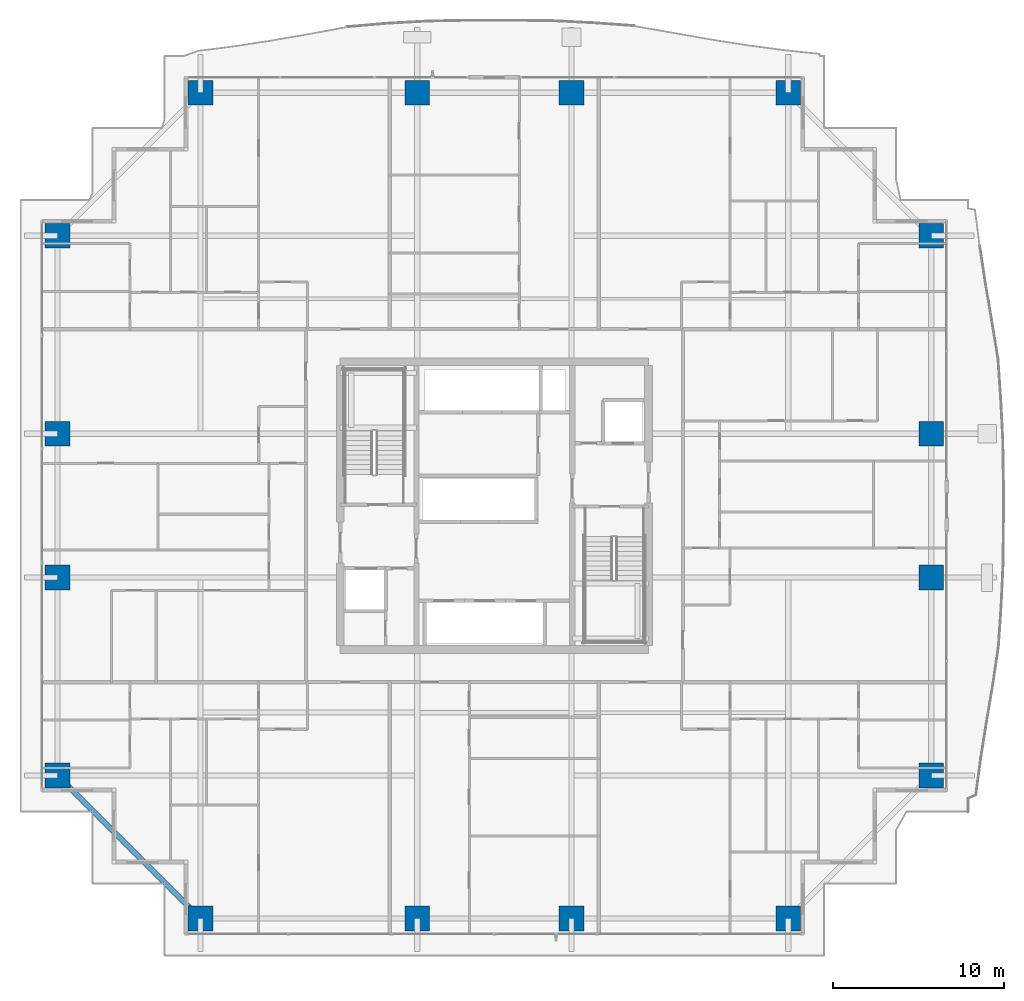
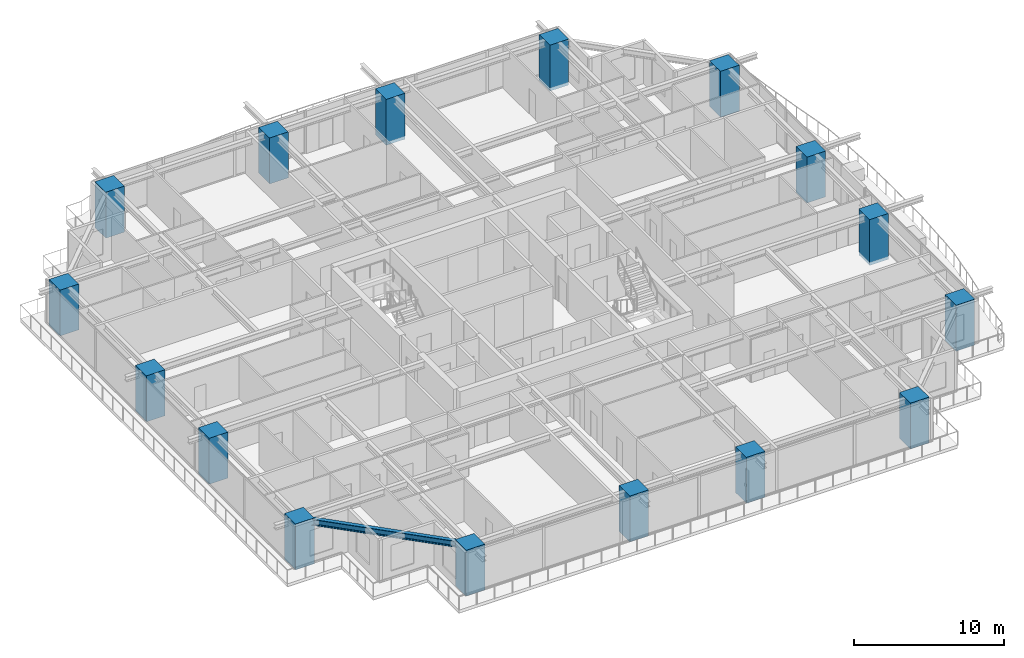
# One storey, part 1 of 38: 16 columns, 1 beam.
"""IFC4 building model written with IfcOpenShell, lengths in metres."""

import ifcopenshell
import ifcopenshell.guid

model = None  # the IFC model being written
_history = None  # IfcOwnerHistory: only IFC2X3 demands one
_inside = {}  # id of a spatial element -> (the spatial element, [elements in it])
_under = {}  # id of a project, library or spatial element -> (it, [spatial elements below it])
_declared = {}  # id of a project -> (the project, [libraries it declares])
_typed = {}  # id of a type object -> (the type object, [elements of that type])
_made_of = {}  # id of a material, layer set ... -> (it, [elements and type objects made of it])


def new_model(schema):
    """Start an empty IFC model of exactly this schema.

    Asked for "IFC4X3", IfcOpenShell would pick the latest addendum, in which some entities
    have other attributes; the version numbers below select the first issue.
    IFC2X3 requires an IfcOwnerHistory on every rooted entity: one is made here for all.
    """
    global model, _history
    if schema == "IFC4X3":
        model = ifcopenshell.file(schema_version=(4, 3, 0, 0))
    else:
        model = ifcopenshell.file(schema=schema)
    _inside.clear()
    _under.clear()
    _declared.clear()
    _typed.clear()
    _made_of.clear()
    _history = None
    if model.schema == "IFC2X3":
        org = make("IfcOrganization", Name="unknown")
        user = make(
            "IfcPersonAndOrganization",
            ThePerson=make("IfcPerson", FamilyName="unknown"),
            TheOrganization=org,
        )
        app = make(
            "IfcApplication",
            ApplicationDeveloper=org,
            Version="unknown",
            ApplicationFullName="unknown",
            ApplicationIdentifier="unknown",
        )
        _history = make(
            "IfcOwnerHistory",
            OwningUser=user,
            OwningApplication=app,
            ChangeAction="ADDED",
            CreationDate=0,
        )
    return model


def make(cls, **values):
    """One entity of the class cls with the attributes given. An attribute that is None is left unset."""
    return model.create_entity(
        cls, **{name: value for name, value in values.items() if value is not None}
    )


def rooted(cls, **values):
    """An entity with a GlobalId (a new one), such as an element, a storey or a relation."""
    return make(cls, GlobalId=ifcopenshell.guid.new(), OwnerHistory=_history, **values)


def si_unit(unit_type, name, prefix=None):
    """IfcSIUnit, for example si_unit("LENGTHUNIT", "METRE", prefix="MILLI")."""
    return make("IfcSIUnit", UnitType=unit_type, Prefix=prefix, Name=name)


def assignment(units):
    """IfcUnitAssignment: the units of a project."""
    return None if units is None else make("IfcUnitAssignment", Units=units)


def point(xyz):
    """IfcCartesianPoint."""
    return None if xyz is None else make("IfcCartesianPoint", Coordinates=xyz)


def direction(xyz):
    """IfcDirection."""
    return None if xyz is None else make("IfcDirection", DirectionRatios=xyz)


def frame(location, z_axis=None, x_axis=None):
    """IfcAxis2Placement3D, a coordinate frame: its origin and axes. An axis left out is left unset."""
    return make(
        "IfcAxis2Placement3D",
        Location=point(location),
        Axis=direction(z_axis),
        RefDirection=direction(x_axis),
    )


def frame_2d(location, x_axis=None):
    """IfcAxis2Placement2D, a coordinate frame in the plane: its origin and x axis."""
    return make(
        "IfcAxis2Placement2D", Location=point(location), RefDirection=direction(x_axis)
    )


def origin():
    """The frame at (0, 0, 0) with its axes left unset."""
    return frame((0.0, 0.0, 0.0))


def origin_2d():
    """The frame at (0, 0) in the plane with its x axis left unset."""
    return frame_2d((0.0, 0.0))


def place(relative_to, where):
    """IfcLocalPlacement: puts the frame where relative to a parent placement (None: the world)."""
    return make(
        "IfcLocalPlacement", PlacementRelTo=relative_to, RelativePlacement=where
    )


def context(
    kind, dimensions, precision=None, world=None, true_north=None, identifier=None
):
    """IfcGeometricRepresentationContext, for example the 3D "Model" context."""
    return make(
        "IfcGeometricRepresentationContext",
        ContextIdentifier=identifier,
        ContextType=kind,
        CoordinateSpaceDimension=dimensions,
        Precision=precision,
        WorldCoordinateSystem=world,
        TrueNorth=true_north,
    )


def subcontext(parent, identifier, kind, view, scale=None):
    """IfcGeometricRepresentationSubContext, for example "Body" below "Model"."""
    return make(
        "IfcGeometricRepresentationSubContext",
        ContextIdentifier=identifier,
        ContextType=kind,
        ParentContext=parent,
        TargetScale=scale,
        TargetView=view,
    )


def project(units=None, contexts=None):
    """IfcProject with its units and contexts."""
    return rooted(
        "IfcProject",
        Name="project",
        RepresentationContexts=contexts,
        UnitsInContext=assignment(units),
    )


def spatial(cls, under=None, at=None, **own):
    """A site, building, storey or space (cls), placed at a placement, below another one or the project."""
    s = rooted(cls, ObjectPlacement=at, **own)
    if under is not None:
        _under.setdefault(under.id(), (under, []))[1].append(s)
    return s


def profile(cls, at=None, kind="AREA", **sizes):
    """A parametric profile (cls). Its sizes go by their IFC names, for example OverallWidth=200.0."""
    return make(cls, ProfileType=kind, Position=at, **sizes)


def rectangle(**sizes):
    """IfcRectangleProfileDef."""
    return profile("IfcRectangleProfileDef", **sizes)


def i_section(**sizes):
    """IfcIShapeProfileDef."""
    return profile("IfcIShapeProfileDef", **sizes)


def extrude(swept, where, along, depth):
    """IfcExtrudedAreaSolid: the profile swept, set in the frame where, extruded along a direction by depth."""
    return make(
        "IfcExtrudedAreaSolid",
        SweptArea=swept,
        Position=where,
        ExtrudedDirection=direction(along),
        Depth=depth,
    )


def shape(context_of_items, identifier, shape_type, items):
    """IfcShapeRepresentation: the items that make up one representation, for example the "Body"."""
    return make(
        "IfcShapeRepresentation",
        ContextOfItems=context_of_items,
        RepresentationIdentifier=identifier,
        RepresentationType=shape_type,
        Items=items,
    )


def source(mapping_origin, context_of_items, identifier, shape_type, items):
    """IfcRepresentationMap: a shape defined once, which mapped items show again and again."""
    return make(
        "IfcRepresentationMap",
        MappingOrigin=mapping_origin,
        MappedRepresentation=shape(context_of_items, identifier, shape_type, items),
    )


def transform(
    local_origin,
    x_axis=None,
    y_axis=None,
    z_axis=None,
    scale=None,
    scale2=None,
    scale3=None,
    uniform=True,
):
    """IfcCartesianTransformationOperator3D, or its non-uniform kind. x_axis, y_axis, z_axis: its Axis1, 2, 3."""
    if uniform:
        return make(
            "IfcCartesianTransformationOperator3D",
            Axis1=direction(x_axis),
            Axis2=direction(y_axis),
            LocalOrigin=point(local_origin),
            Scale=scale,
            Axis3=direction(z_axis),
        )
    return make(
        "IfcCartesianTransformationOperator3DnonUniform",
        Axis1=direction(x_axis),
        Axis2=direction(y_axis),
        LocalOrigin=point(local_origin),
        Scale=scale,
        Axis3=direction(z_axis),
        Scale2=scale2,
        Scale3=scale3,
    )


def mapped(mapping_source, mapping_target):
    """IfcMappedItem: shows the shape of a source again, moved by a transform."""
    return make(
        "IfcMappedItem", MappingSource=mapping_source, MappingTarget=mapping_target
    )


def material(Name=None, Category=None):
    """IfcMaterial."""
    return make("IfcMaterial", Name=Name, Category=Category)


def material_profile(
    of_material, cross_section, Name=None, Category=None, Priority=None
):
    """IfcMaterialProfile: a cross section and its material."""
    return make(
        "IfcMaterialProfile",
        Name=Name,
        Material=of_material,
        Profile=cross_section,
        Priority=Priority,
        Category=Category,
    )


def profile_set(profiles, Name=None, composite=None):
    """IfcMaterialProfileSet."""
    return make(
        "IfcMaterialProfileSet",
        Name=Name,
        MaterialProfiles=profiles,
        CompositeProfile=composite,
    )


def made_of(thing, what):
    """Note that an element or type object is made of a material, layer set ...; save() writes the relation."""
    if what is not None:
        _made_of.setdefault(what.id(), (what, []))[1].append(thing)
    return thing


def type_object(cls, material=None, **own):
    """A type object (cls), such as IfcWallType, which elements share."""
    return made_of(rooted(cls, **own), material)


def element(
    cls,
    number,
    at=None,
    inside=None,
    cuts=None,
    type_object=None,
    material=None,
    context=None,
    identifier="Body",
    shape_type=None,
    held_by="IfcProductDefinitionShape",
    body=None,
    shapes=None,
    **own,
):
    """One element of the class cls, such as IfcWall. Its Tag is "e" and its number.

    at: its placement. inside: the storey or other place that contains it. cuts: it is an
    opening in that element (IfcRelVoidsElement). A single representation is given by context,
    identifier, shape_type and body (its items); several are given by shapes. held_by: the class
    of the entity that holds the representations. save() writes the other relations.
    """
    e = rooted(cls, Tag="e%d" % number, ObjectPlacement=at, **own)
    if body is not None:
        shapes = [shape(context, identifier, shape_type, body)]
    if shapes is not None:
        e.Representation = make(held_by, Representations=shapes)
    if inside is not None:
        _inside.setdefault(inside.id(), (inside, []))[1].append(e)
    if cuts is not None:
        rooted(
            "IfcRelVoidsElement", RelatingBuildingElement=cuts, RelatedOpeningElement=e
        )
    if type_object is not None:
        _typed.setdefault(type_object.id(), (type_object, []))[1].append(e)
    return made_of(e, material)


def aggregate(whole, parts):
    """IfcRelAggregates: a whole, such as a stair, and the parts it consists of."""
    return rooted("IfcRelAggregates", RelatingObject=whole, RelatedObjects=parts)


def save(model, path):
    """Write the relations noted so far, then the file.

    IfcRelAggregates (storeys below a building ...), IfcRelContainedInSpatialStructure (elements
    in a storey), IfcRelDefinesByType, IfcRelAssociatesMaterial and IfcRelDeclares: one each for
    every whole, place, type object, material and project.
    """
    for whole, parts in _under.values():
        aggregate(whole, parts)
    for where, things in _inside.values():
        rooted(
            "IfcRelContainedInSpatialStructure",
            RelatedElements=things,
            RelatingStructure=where,
        )
    for kind, things in _typed.values():
        rooted("IfcRelDefinesByType", RelatedObjects=things, RelatingType=kind)
    for what, things in _made_of.values():
        rooted("IfcRelAssociatesMaterial", RelatedObjects=things, RelatingMaterial=what)
    for by, libraries in _declared.values():
        rooted("IfcRelDeclares", RelatingContext=by, RelatedDefinitions=libraries)
    model.write(path)


model = new_model("IFC4")

# Units and contexts
model_context = context("Model", 3, precision=1e-05, world=origin(), true_north=direction((0.0, 1.0)))
body_context = subcontext(model_context, "Body", "Model", "MODEL_VIEW")
ifc_project = project(units=[si_unit("LENGTHUNIT", "METRE"), si_unit("AREAUNIT", "SQUARE_METRE"), si_unit("VOLUMEUNIT", "CUBIC_METRE"), si_unit("PLANEANGLEUNIT", "RADIAN"), si_unit("MASSUNIT", "GRAM", prefix="KILO")], contexts=[model_context])

# Site, building, storey
site_placement = place(None, origin())
site = spatial("IfcSite", under=ifc_project, at=site_placement, CompositionType="ELEMENT")
building_placement = place(site_placement, origin())
building = spatial("IfcBuilding", under=site, at=building_placement, Name="Serunith Strait Residences", CompositionType="ELEMENT")
storey_placement = place(building_placement, frame((0.0, 0.0, 30.449951171875)))
storey = spatial("IfcBuildingStorey", under=building, at=storey_placement, Name="L06", CompositionType="ELEMENT", Elevation=30.449951171875)

# Columns
ifc_material_1 = material(Name="Concrete C90/105", Category="concrete")
ifc_material_profile_1 = material_profile(ifc_material_1, rectangle(XDim=1.449951171875, YDim=1.449951171875, at=origin_2d()), Name="RC 1450x1450")
ifc_profile_set_1 = profile_set([ifc_material_profile_1], Name="Concrete C90/105")
column_type = type_object("IfcColumnType", Name="COL-RC-1450", PredefinedType="COLUMN", material=ifc_profile_set_1)
shared_shape_1 = source(origin(), body_context, "Body", "SweptSolid", [
    extrude(rectangle(XDim=1.449951171875, YDim=1.449951171875, at=origin_2d()), origin(), (0.0, 0.0, 1.0), 3.75),
])
for number, where, z_axis, x_axis, name in (
    (1, (15.25, 1.10009765625, -0.260009765625), (0.0, 0.0, 1.0), (1.0, 0.0, 0.0), "L06 Tower Mega-Column TC-S1"),
    (2, (27.89990234375, 1.10009765625, -0.260009765625), (0.0, 0.0, 1.0), (1.0, 0.0, 0.0), "L06 Tower Mega-Column TC-S2"),
    (3, (36.89990234375, 1.10009765625, -0.260009765625), (0.0, 0.0, 1.0), (1.0, 0.0, 0.0), "L06 Tower Mega-Column TC-S3"),
    (4, (49.550048828125, 1.10009765625, -0.260009765625), (0.0, 0.0, 1.0), (1.0, 0.0, 0.0), "L06 Tower Mega-Column TC-S4"),
    (5, (15.25, 49.300048828125, -0.260009765625), (0.0, 0.0, 1.0), (1.0, 0.0, 0.0), "L06 Tower Mega-Column TC-N1"),
    (6, (27.89990234375, 49.300048828125, -0.260009765625), (0.0, 0.0, 1.0), (1.0, 0.0, 0.0), "L06 Tower Mega-Column TC-N2"),
    (7, (36.89990234375, 49.300048828125, -0.260009765625), (0.0, 0.0, 1.0), (1.0, 0.0, 0.0), "L06 Tower Mega-Column TC-N3"),
    (8, (49.550048828125, 49.300048828125, -0.260009765625), (0.0, 0.0, 1.0), (1.0, 0.0, 0.0), "L06 Tower Mega-Column TC-N4"),
    (9, (57.89990234375, 9.449951171875, -0.260009765625), (0.0, 0.0, 1.0), (1.0, 0.0, 0.0), "L06 Tower Mega-Column TC-E1"),
    (10, (57.89990234375, 21.0, -0.260009765625), (0.0, 0.0, 1.0), (1.0, 0.0, 0.0), "L06 Tower Mega-Column TC-E2"),
    (11, (57.89990234375, 29.39990234375, -0.260009765625), (0.0, 0.0, 1.0), (1.0, 0.0, 0.0), "L06 Tower Mega-Column TC-E3"),
    (12, (57.89990234375, 40.949951171875, -0.260009765625), (0.0, 0.0, 1.0), (1.0, 0.0, 0.0), "L06 Tower Mega-Column TC-E4"),
    (13, (6.89990234375, 9.449951171875, -0.260009765625), (0.0, 0.0, 1.0), (1.0, 0.0, 0.0), "L06 Tower Mega-Column TC-W1"),
    (14, (6.89990234375, 21.0, -0.260009765625), (0.0, 0.0, 1.0), (1.0, 0.0, 0.0), "L06 Tower Mega-Column TC-W2"),
    (15, (6.89990234375, 29.39990234375, -0.260009765625), (0.0, 0.0, 1.0), (1.0, 0.0, 0.0), "L06 Tower Mega-Column TC-W3"),
    (16, (6.89990234375, 40.949951171875, -0.260009765625), (0.0, 0.0, 1.0), (1.0, 0.0, 0.0), "L06 Tower Mega-Column TC-W4"),
):
    element("IfcColumn", number, at=place(storey_placement, frame(where, z_axis=z_axis, x_axis=x_axis)), inside=storey, type_object=column_type, Name=name, PredefinedType="COLUMN", context=body_context, shape_type="MappedRepresentation", body=[
        mapped(shared_shape_1, transform((0.0, 0.0, 0.0), scale=1.0)),
    ])

# Beam
ifc_material_2 = material(Name="Steel S355J2", Category="steel")
ifc_material_profile_2 = material_profile(ifc_material_2, i_section(OverallWidth=0.300048828125, OverallDepth=0.5, WebThickness=0.014404296875, FlangeThickness=0.028076171875, FilletRadius=0.027099609375, at=origin_2d()), Name="HEB 500")
ifc_profile_set_2 = profile_set([ifc_material_profile_2], Name="Steel S355J2")
beam_type = type_object("IfcBeamType", Name="BM-HEB500", PredefinedType="BEAM", material=ifc_profile_set_2)
shared_shape_2 = source(origin(), body_context, "Body", "SweptSolid", [
    extrude(i_section(OverallWidth=0.300048828125, OverallDepth=0.5, WebThickness=0.014404296875, FlangeThickness=0.028076171875, FilletRadius=0.027099609375, at=origin_2d()), origin(), (0.0, 0.0, 1.0), 11.80859375),
])
beam_placement = place(storey_placement, frame((6.89990234375, 9.449951171875, 3.20703125), z_axis=(0.707117118476, -0.707096443746, 0.0), x_axis=(0.707096443746, 0.707117118476, 0.0)))
element("IfcBeam", 17, at=beam_placement, inside=storey, type_object=beam_type, Name="L06 Perimeter Ring Beam 16", PredefinedType="BEAM", context=body_context, shape_type="MappedRepresentation", body=[
    mapped(shared_shape_2, transform((0.0, 0.0, 0.0), scale=1.0)),
])

save(model, "model.ifc")
